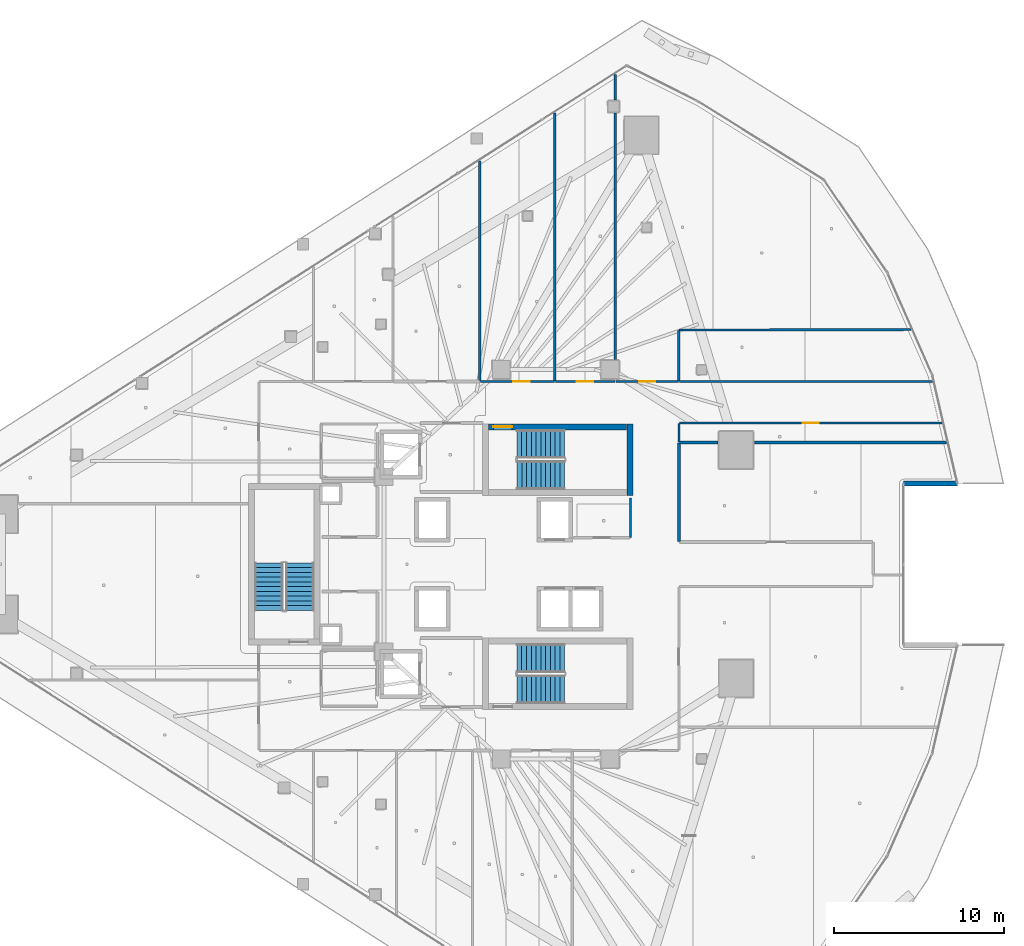
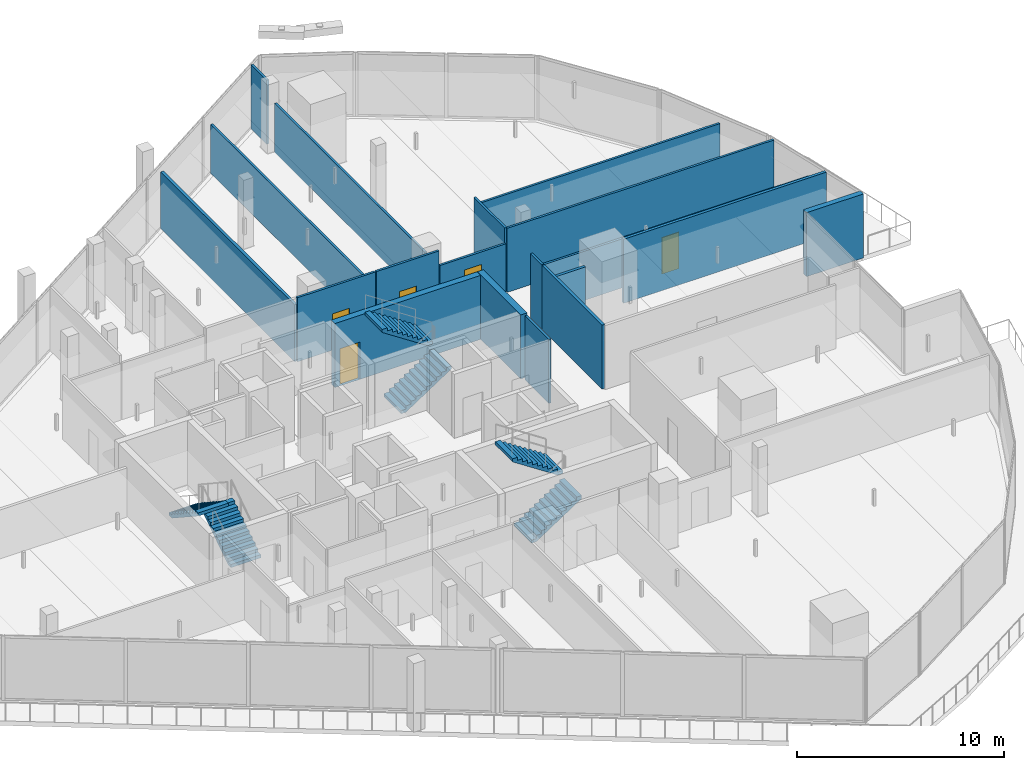
# One storey, part 28 of 39: 19 walls, 6 stair flights, 5 doors, 5 openings, 3 elements without a shape of their own.
"""IFC4 building model written with IfcOpenShell, lengths in metres."""

from ifc_helpers import new_model, si_unit, direction, frame, frame_2d, origin, place, context, subcontext, project, spatial, polyline, rectangle, outline, extrude, material, layer, layer_set, type_object, element, fill, aggregate, save


model = new_model("IFC4")

# Units and contexts
model_context = context("Model", 3, precision=1e-05, world=origin(), true_north=direction((0.0, 1.0)))
body_context = subcontext(model_context, "Body", "Model", "MODEL_VIEW")
ifc_project = project(units=[si_unit("LENGTHUNIT", "METRE"), si_unit("AREAUNIT", "SQUARE_METRE"), si_unit("VOLUMEUNIT", "CUBIC_METRE"), si_unit("PLANEANGLEUNIT", "RADIAN"), si_unit("MASSUNIT", "GRAM", prefix="KILO")], contexts=[model_context])

# Site, building, storey
site_placement = place(None, origin())
site = spatial("IfcSite", under=ifc_project, at=site_placement, CompositionType="ELEMENT")
building_placement = place(site_placement, origin())
building = spatial("IfcBuilding", under=site, at=building_placement, Name="Qorvath Tower", CompositionType="ELEMENT")
storey_placement = place(building_placement, frame((0.0, 0.0, 162.449951171875)))
storey = spatial("IfcBuildingStorey", under=building, at=storey_placement, Name="L37", CompositionType="ELEMENT", Elevation=162.449951171875)

# Walls
ifc_material_1 = material(Name="Double acoustic gypsum board on steel studs", Category="steel")
ifc_layer_1 = layer(ifc_material_1, 0.159912109375)
ifc_layer_set_1 = layer_set([ifc_layer_1], Name="IW-ACOUSTIC-160")
wall_type_1 = type_object("IfcWallType", Name="IW-ACOUSTIC-160", PredefinedType="PARTITIONING", material=ifc_layer_set_1)
wall_1_placement = place(storey_placement, frame((-24.85546875, 10.783203125, 0.0), z_axis=(0.0, 0.0, 1.0), x_axis=(0.0, 1.0, 0.0)))
element("IfcWall", 1, at=wall_1_placement, inside=storey, type_object=wall_type_1, Name="Interior Partition IW-T1-L37-026", PredefinedType="PARTITIONING", context=body_context, shape_type="SweptSolid", body=[
    extrude(rectangle(XDim=12.953369140625, YDim=0.159912109375, at=frame_2d((6.4765625, 0.0))), origin(), (0.0, 0.0, 1.0), 3.34423828125),
])
wall_2_placement = place(storey_placement, frame((2.607666015625, 7.161376953125, 0.0), z_axis=(0.0, 0.0, 1.0), x_axis=(-1.0, 0.0, 0.0)))
element("IfcWall", 2, at=wall_2_placement, inside=storey, type_object=wall_type_1, Name="Interior Partition IW-T1-L37-050", PredefinedType="PARTITIONING", context=body_context, shape_type="SweptSolid", body=[
    extrude(rectangle(XDim=11.31298828125, YDim=0.159912109375, at=frame_2d((5.656494140625, 0.0))), origin(), (0.0, 0.0, 1.0), 3.780029296875),
])
wall_3_placement = place(storey_placement, frame((-10.835205078125, 7.161376953125, 0.0), z_axis=(0.0, 0.0, 1.0), x_axis=(-1.0, 0.0, 0.0)))
element("IfcWall", 3, at=wall_3_placement, inside=storey, type_object=wall_type_1, Name="Interior Partition IW-T1-L37-051", PredefinedType="PARTITIONING", context=body_context, shape_type="SweptSolid", body=[
    extrude(rectangle(XDim=2.281982421875, YDim=0.159912109375, at=frame_2d((1.14111328125, 0.0))), origin(), (0.0, 0.0, 1.0), 2.89501953125),
])
wall_4_placement = place(storey_placement, frame((-13.14208984375, 7.136474609375, 0.0), z_axis=(0.0, 0.0, 1.0), x_axis=(0.0, -1.0, 0.0)))
element("IfcWall", 4, at=wall_4_placement, inside=storey, type_object=wall_type_1, Name="Interior Partition IW-T1-L37-052", PredefinedType="PARTITIONING", context=body_context, shape_type="SweptSolid", body=[
    extrude(rectangle(XDim=5.803466796875, YDim=0.159912109375, at=frame_2d((2.90185546875, 0.0))), origin(), (0.0, 0.0, 1.0), 3.780029296875),
])
ifc_material_2 = material(Name="Gypsum board on metal studs with mineral wool", Category="gypsum")
ifc_layer_2 = layer(ifc_material_2, 0.125)
ifc_layer_set_2 = layer_set([ifc_layer_2], Name="IW-PART-125")
wall_type_2 = type_object("IfcWallType", Name="IW-PART-125", PredefinedType="PARTITIONING", material=ifc_layer_set_2)
wall_5_placement = place(storey_placement, frame((-16.0, 1.585205078125, 0.0), z_axis=(0.0, 0.0, 1.0), x_axis=(0.0, 1.0, 0.0)))
element("IfcWall", 5, at=wall_5_placement, inside=storey, type_object=wall_type_2, Name="Interior Partition IW-T1-L37-014", PredefinedType="PARTITIONING", context=body_context, shape_type="SweptSolid", body=[
    extrude(rectangle(XDim=2.30224609375, YDim=0.125, at=frame_2d((1.151123046875, 0.0))), origin(), (0.0, 0.0, 1.0), 3.780029296875),
])

# Wall, opening, door
wall_6_placement = place(storey_placement, frame((-24.822509765625, 10.758056640625, 0.0), z_axis=(0.0, 0.0, 1.0), x_axis=(1.0, 0.0, 0.0)))
wall_6 = element("IfcWall", 6, at=wall_6_placement, inside=storey, type_object=wall_type_2, Name="Interior Partition IW-T1-L37-027", PredefinedType="PARTITIONING", context=body_context, shape_type="SweptSolid", body=[
    extrude(rectangle(XDim=4.3466796875, YDim=0.125, at=frame_2d((2.17333984375, 0.0))), origin(), (0.0, 0.0, 1.0), 3.780029296875),
])
opening_1_placement = place(wall_6_placement, frame((1.94091796875, 0.0, 0.0)))
opening_1 = element("IfcOpeningElement", 7, at=opening_1_placement, cuts=wall_6, Name="Opening D-T1-L37-08", PredefinedType="OPENING", context=body_context, shape_type="SweptSolid", body=[
    extrude(rectangle(XDim=0.949951171875, YDim=2.14990234375, at=frame_2d((0.47509765625, 1.074951171875))), frame((0.0, 0.072509765625, 0.0), z_axis=(0.0, -1.0, 0.0), x_axis=(1.0, 0.0, 0.0)), (0.0, 0.0, 1.0), 0.14501953125),
])
ifc_material_3 = material(Name="Solid-core American white oak veneer", Category="wood")
door_type_1 = type_object("IfcDoorType", Name="D-01", OperationType="NOTDEFINED", PredefinedType="DOOR", material=ifc_material_3)
door_1_placement = place(opening_1_placement, origin())
door_1 = element("IfcDoor", 8, at=door_1_placement, inside=storey, type_object=door_type_1, Name="L37-03 Project Collaboration Workspace Door D-T1-L37-08", OperationType="SINGLE_SWING_LEFT", OverallHeight=2.14990234375, OverallWidth=0.949951171875, PredefinedType="DOOR", context=body_context, shape_type="SweptSolid", body=[
    extrude(rectangle(XDim=0.949951171875, YDim=2.14990234375, at=frame_2d((0.47509765625, 1.074951171875))), frame((0.0, 0.02490234375, 0.0), z_axis=(0.0, -1.0, 0.0), x_axis=(1.0, 0.0, 0.0)), (0.0, 0.0, 1.0), 0.050048828125),
])
fill(opening_1, door_1)

# Wall
wall_7_placement = place(storey_placement, frame((-20.450927734375, 10.783203125, 0.0), z_axis=(0.0, 0.0, 1.0), x_axis=(0.0, 1.0, 0.0)))
element("IfcWall", 9, at=wall_7_placement, inside=storey, type_object=wall_type_2, Name="Interior Partition IW-T1-L37-028", PredefinedType="PARTITIONING", context=body_context, shape_type="SweptSolid", body=[
    extrude(rectangle(XDim=15.7685546875, YDim=0.125, at=frame_2d((7.88427734375, 0.0))), origin(), (0.0, 0.0, 1.0), 2.89501953125),
])

# Wall, opening, door
wall_8_placement = place(storey_placement, frame((-20.41796875, 10.758056640625, 0.0), z_axis=(0.0, 0.0, 1.0), x_axis=(1.0, 0.0, 0.0)))
wall_8 = element("IfcWall", 10, at=wall_8_placement, inside=storey, type_object=wall_type_2, Name="Interior Partition IW-T1-L37-029", PredefinedType="PARTITIONING", context=body_context, shape_type="SweptSolid", body=[
    extrude(rectangle(XDim=3.503662109375, YDim=0.125, at=frame_2d((1.751953125, 0.0))), origin(), (0.0, 0.0, 1.0), 3.780029296875),
])
opening_2_placement = place(wall_8_placement, frame((1.27685546875, 0.0, 0.0)))
opening_2 = element("IfcOpeningElement", 11, at=opening_2_placement, cuts=wall_8, Name="Opening D-T1-L37-09", PredefinedType="OPENING", context=body_context, shape_type="SweptSolid", body=[
    extrude(rectangle(XDim=0.949951171875, YDim=2.14990234375, at=frame_2d((0.47509765625, 1.074951171875))), frame((0.0, 0.072509765625, 0.0), z_axis=(0.0, -1.0, 0.0), x_axis=(1.0, 0.0, 0.0)), (0.0, 0.0, 1.0), 0.14501953125),
])
door_2_placement = place(opening_2_placement, origin())
door_2 = element("IfcDoor", 12, at=door_2_placement, inside=storey, type_object=door_type_1, Name="L37-04 Staff Wellness Studio Door D-T1-L37-09", OperationType="SINGLE_SWING_RIGHT", OverallHeight=2.14990234375, OverallWidth=0.949951171875, PredefinedType="DOOR", context=body_context, shape_type="SweptSolid", body=[
    extrude(rectangle(XDim=0.949951171875, YDim=2.14990234375, at=frame_2d((0.47509765625, 1.074951171875))), frame((0.0, 0.02490234375, 0.0), z_axis=(0.0, -1.0, 0.0), x_axis=(1.0, 0.0, 0.0)), (0.0, 0.0, 1.0), 0.050048828125),
])
fill(opening_2, door_2)

# Walls
wall_9_placement = place(storey_placement, frame((-16.88916015625, 12.0400390625, 0.0), z_axis=(0.0, 0.0, 1.0), x_axis=(0.0, 1.0, 0.0)))
element("IfcWall", 13, at=wall_9_placement, inside=storey, type_object=wall_type_2, Name="Interior Partition IW-T1-L37-030", PredefinedType="PARTITIONING", context=body_context, shape_type="SweptSolid", body=[
    extrude(rectangle(XDim=14.499267578125, YDim=0.125, at=frame_2d((7.24951171875, 0.0))), origin(), (0.0, 0.0, 1.0), 2.89501953125),
])
wall_10_placement = place(storey_placement, frame((-16.88916015625, 27.319091796875, 0.0), z_axis=(0.0, 0.0, 1.0), x_axis=(0.0, 1.0, 0.0)))
element("IfcWall", 14, at=wall_10_placement, inside=storey, type_object=wall_type_2, Name="Interior Partition IW-T1-L37-031", PredefinedType="PARTITIONING", context=body_context, shape_type="SweptSolid", body=[
    extrude(rectangle(XDim=1.509033203125, YDim=0.125, at=frame_2d((0.75439453125, 0.0))), origin(), (0.0, 0.0, 1.0), 3.780029296875),
])

# Wall, opening, door
wall_11_placement = place(storey_placement, frame((-16.856201171875, 10.758056640625, 0.0), z_axis=(0.0, 0.0, 1.0), x_axis=(1.0, 0.0, 0.0)))
wall_11 = element("IfcWall", 15, at=wall_11_placement, inside=storey, type_object=wall_type_2, Name="Interior Partition IW-T1-L37-032", PredefinedType="PARTITIONING", context=body_context, shape_type="SweptSolid", body=[
    extrude(rectangle(XDim=3.681396484375, YDim=0.125, at=frame_2d((1.8408203125, 0.0))), origin(), (0.0, 0.0, 1.0), 2.89501953125),
])
opening_3_placement = place(wall_11_placement, frame((1.36572265625, 0.0, 0.0)))
opening_3 = element("IfcOpeningElement", 16, at=opening_3_placement, cuts=wall_11, Name="Opening D-T1-L37-10", PredefinedType="OPENING", context=body_context, shape_type="SweptSolid", body=[
    extrude(rectangle(XDim=0.949951171875, YDim=2.14990234375, at=frame_2d((0.47509765625, 1.074951171875))), frame((0.0, 0.072509765625, 0.0), z_axis=(0.0, -1.0, 0.0), x_axis=(1.0, 0.0, 0.0)), (0.0, 0.0, 1.0), 0.14501953125),
])
door_3_placement = place(opening_3_placement, origin())
door_3 = element("IfcDoor", 17, at=door_3_placement, inside=storey, type_object=door_type_1, Name="L37-05 Design Pin-Up Atelier Door D-T1-L37-10", OperationType="SINGLE_SWING_LEFT", OverallHeight=2.14990234375, OverallWidth=0.949951171875, PredefinedType="DOOR", context=body_context, shape_type="SweptSolid", body=[
    extrude(rectangle(XDim=0.949951171875, YDim=2.14990234375, at=frame_2d((0.47509765625, 1.074951171875))), frame((0.0, 0.02490234375, 0.0), z_axis=(0.0, -1.0, 0.0), x_axis=(1.0, 0.0, 0.0)), (0.0, 0.0, 1.0), 0.050048828125),
])
fill(opening_3, door_3)

# Walls
wall_12_placement = place(storey_placement, frame((-13.14990234375, 13.764892578125, 0.0), z_axis=(0.0, 0.0, 1.0), x_axis=(0.0, -1.0, 0.0)))
element("IfcWall", 18, at=wall_12_placement, inside=storey, type_object=wall_type_2, Name="Interior Partition IW-T1-L37-033", PredefinedType="PARTITIONING", context=body_context, shape_type="SweptSolid", body=[
    extrude(rectangle(XDim=2.981689453125, YDim=0.125, at=frame_2d((1.49072265625, 0.0))), origin(), (0.0, 0.0, 1.0), 3.780029296875),
])
wall_13_placement = place(storey_placement, frame((-13.125, 13.7900390625, 0.0), z_axis=(0.0, 0.0, 1.0), x_axis=(0.999999567164, 0.000930415243, 0.0)))
element("IfcWall", 19, at=wall_13_placement, inside=storey, type_object=wall_type_2, Name="Interior Partition IW-T1-L37-034", PredefinedType="PARTITIONING", context=body_context, shape_type="SweptSolid", body=[
    extrude(rectangle(XDim=13.644775390625, YDim=0.125, at=frame_2d((6.822265625, 0.0))), origin(), (0.0, 0.0, 1.0), 3.34423828125),
])
wall_14_placement = place(storey_placement, frame((-13.1171875, 10.758056640625, 0.0), z_axis=(0.0, 0.0, 1.0), x_axis=(1.0, 0.0, 0.0)))
element("IfcWall", 20, at=wall_14_placement, inside=storey, type_object=wall_type_2, Name="Interior Partition IW-T1-L37-055", PredefinedType="PARTITIONING", context=body_context, shape_type="SweptSolid", body=[
    extrude(rectangle(XDim=14.8916015625, YDim=0.125, at=frame_2d((7.44580078125, 0.0))), origin(), (0.0, 0.0, 1.0), 3.780029296875),
])

# Wall, opening, door
wall_15_placement = place(storey_placement, frame((-13.1171875, 8.31201171875, 0.0), z_axis=(0.0, 0.0, 1.0), x_axis=(1.0, 0.0, 0.0)))
wall_15 = element("IfcWall", 21, at=wall_15_placement, inside=storey, type_object=wall_type_2, Name="Interior Partition IW-T1-L37-056", PredefinedType="PARTITIONING", context=body_context, shape_type="SweptSolid", body=[
    extrude(rectangle(XDim=15.458251953125, YDim=0.125, at=frame_2d((7.72900390625, 0.0))), origin(), (0.0, 0.0, 1.0), 2.89501953125),
])
opening_4_placement = place(wall_15_placement, frame((7.254150390625, 0.0, 0.0)))
opening_4 = element("IfcOpeningElement", 22, at=opening_4_placement, cuts=wall_15, Name="Opening D-T1-L37-17", PredefinedType="OPENING", context=body_context, shape_type="SweptSolid", body=[
    extrude(rectangle(XDim=0.949951171875, YDim=2.14990234375, at=frame_2d((0.47509765625, 1.074951171875))), frame((0.0, 0.072509765625, 0.0), z_axis=(0.0, -1.0, 0.0), x_axis=(1.0, 0.0, 0.0)), (0.0, 0.0, 1.0), 0.14501953125),
])
door_4_placement = place(opening_4_placement, origin())
door_4 = element("IfcDoor", 23, at=door_4_placement, inside=storey, type_object=door_type_1, Name="L37-12 Focus Collaboration Pod Door D-T1-L37-17", OperationType="SINGLE_SWING_RIGHT", OverallHeight=2.14990234375, OverallWidth=0.949951171875, PredefinedType="DOOR", context=body_context, shape_type="SweptSolid", body=[
    extrude(rectangle(XDim=0.949951171875, YDim=2.14990234375, at=frame_2d((0.47509765625, 1.074951171875))), frame((0.0, 0.02490234375, 0.0), z_axis=(0.0, -1.0, 0.0), x_axis=(1.0, 0.0, 0.0)), (0.0, 0.0, 1.0), 0.050048828125),
])
fill(opening_4, door_4)

# Walls
wall_16_placement = place(storey_placement, frame((-13.14208984375, 8.287109375, 0.0), z_axis=(0.0, 0.0, 1.0), x_axis=(0.0, -1.0, 0.0)))
element("IfcWall", 24, at=wall_16_placement, inside=storey, type_object=wall_type_2, Name="Interior Partition IW-T1-L37-057", PredefinedType="PARTITIONING", context=body_context, shape_type="SweptSolid", body=[
    extrude(rectangle(XDim=1.0927734375, YDim=0.125, at=frame_2d((0.54638671875, 0.0))), origin(), (0.0, 0.0, 1.0), 3.780029296875),
])
ifc_material_4 = material(Name="Concrete C60/75", Category="concrete")
ifc_layer_3 = layer(ifc_material_4, 0.35009765625)
ifc_layer_set_3 = layer_set([ifc_layer_3], Name="SW-STAIR")
wall_type_3 = type_object("IfcWallType", Name="SW-STAIR", PredefinedType="SHEAR", material=ifc_layer_set_3)
wall_17_placement = place(storey_placement, frame((-16.02490234375, 4.050048828125, 0.0), z_axis=(0.0, 0.0, 1.0), x_axis=(0.0, 1.0, 0.0)))
element("IfcWall", 25, at=wall_17_placement, inside=storey, type_object=wall_type_3, Name="Stair TS1 Shear Wall L37 FAR", PredefinedType="SHEAR", context=body_context, shape_type="SweptSolid", body=[
    extrude(rectangle(XDim=4.2099609375, YDim=0.35009765625, at=frame_2d((2.10498046875, 0.0))), origin(), (0.0, 0.0, 1.0), 3.780029296875),
])

# Wall, opening, door
wall_18_placement = place(storey_placement, frame((-16.215087890625, 8.0849609375, 0.0), z_axis=(0.0, 0.0, 1.0), x_axis=(-1.0, 0.0, 0.0)))
wall_18 = element("IfcWall", 26, at=wall_18_placement, inside=storey, type_object=wall_type_3, Name="Stair TS1 Shear Wall L37 RIGHT", PredefinedType="SHEAR", context=body_context, shape_type="SweptSolid", body=[
    extrude(rectangle(XDim=8.119873046875, YDim=0.35009765625, at=frame_2d((4.06005859375, 0.0))), origin(), (0.0, 0.0, 1.0), 3.780029296875),
])
opening_5_placement = place(wall_18_placement, frame((6.739990234375, 0.0, 0.0)))
opening_5 = element("IfcOpeningElement", 27, at=opening_5_placement, cuts=wall_18, Name="Opening D-TS1-L37", PredefinedType="OPENING", context=body_context, shape_type="SweptSolid", body=[
    extrude(rectangle(XDim=1.10009765625, YDim=2.199951171875, at=frame_2d((0.550048828125, 1.10009765625))), frame((0.0, 0.18505859375, 0.0), z_axis=(0.0, -1.0, 0.0), x_axis=(1.0, 0.0, 0.0)), (0.0, 0.0, 1.0), 0.3701171875),
])
ifc_material_5 = material(Name="Painted galvanised hollow metal", Category="steel")
door_type_2 = type_object("IfcDoorType", Name="FD-90", OperationType="NOTDEFINED", PredefinedType="DOOR", material=ifc_material_5)
door_5_placement = place(opening_5_placement, origin())
door_5 = element("IfcDoor", 28, at=door_5_placement, inside=storey, type_object=door_type_2, Name="Stair TS1 Fire Door L37", OperationType="SINGLE_SWING_RIGHT", OverallHeight=2.199951171875, OverallWidth=1.10009765625, PredefinedType="DOOR", context=body_context, shape_type="SweptSolid", body=[
    extrude(rectangle(XDim=1.10009765625, YDim=2.199951171875, at=frame_2d((0.550048828125, 1.10009765625))), frame((0.0, 0.02490234375, 0.0), z_axis=(0.0, -1.0, 0.0), x_axis=(1.0, 0.0, 0.0)), (0.0, 0.0, 1.0), 0.050048828125),
])
fill(opening_5, door_5)

# Wall
ifc_material_6 = material(Name="Precast concrete C45/55", Category="concrete")
ifc_layer_4 = layer(ifc_material_6, 0.300048828125)
ifc_layer_set_4 = layer_set([ifc_layer_4], Name="WL-EW-LOG-300")
wall_type_4 = type_object("IfcWallType", Name="WL-EW-LOG-300", PredefinedType="SOLIDWALL", material=ifc_layer_set_4)
wall_19_placement = place(storey_placement, frame((0.077880859375, 4.751953125, 0.0), z_axis=(0.0, 0.0, 1.0), x_axis=(1.0, 0.0, 0.0)))
element("IfcWall", 29, at=wall_19_placement, inside=storey, type_object=wall_type_4, Name="Tower Precast Loggia Wall L37-10.1", PredefinedType="SOLIDWALL", context=body_context, shape_type="SweptSolid", body=[
    extrude(rectangle(XDim=3.168212890625, YDim=0.300048828125, at=frame_2d((1.583984375, 0.0))), origin(), (0.0, 0.0, 1.0), 3.780029296875),
])

# Stair, stair flights
ifc_material_7 = material(Name="Concrete C50/60", Category="concrete")
stair_type = type_object("IfcStairType", Name="ST-H405", PredefinedType="HALF_TURN_STAIR", material=ifc_material_7)
stair_1_placement = place(storey_placement, origin())
stair_1 = element("IfcStair", 30, at=stair_1_placement, inside=storey, type_object=stair_type, Name="L37 Tower Exit Stair 1", PredefinedType="HALF_TURN_STAIR")
ifc_material_8 = material(Name="Concrete C50/60", Category="concrete")
ifc_layer_5 = layer(ifc_material_8, 0.14990234375)
ifc_layer_set_5 = layer_set([ifc_layer_5], Name="SF-H405")
stair_flight_type = type_object("IfcStairFlightType", Name="SF-H405", PredefinedType="STRAIGHT", material=ifc_layer_set_5)
stair_flight_1_placement = place(storey_placement, frame((-22.669921875, 5.239990234375, 0.0), z_axis=(0.0, 0.0, 1.0), x_axis=(1.0, 0.0, 0.0)))
stair_flight_1 = element("IfcStairFlight", 31, at=stair_flight_1_placement, type_object=stair_flight_type, Name="TS1 flight 1", NumberOfRisers=11, NumberOfTreads=10, PredefinedType="STRAIGHT", RiserHeight=0.184090909, TreadLength=0.28, context=body_context, shape_type="SweptSolid", body=[
    extrude(outline(polyline([(0.0, 0.0), (0.0, 0.18408203125), (0.280029296875, 0.18408203125), (0.280029296875, 0.3681640625), (0.56005859375, 0.3681640625), (0.56005859375, 0.55224609375), (0.840087890625, 0.55224609375), (0.840087890625, 0.736328125), (1.1201171875, 0.736328125), (1.1201171875, 0.92041015625), (1.39990234375, 0.92041015625), (1.39990234375, 1.1044921875), (1.679931640625, 1.1044921875), (1.679931640625, 1.28857421875), (1.9599609375, 1.28857421875), (1.9599609375, 1.47265625), (2.239990234375, 1.47265625), (2.239990234375, 1.65673828125), (2.52001953125, 1.65673828125), (2.52001953125, 1.8408203125), (2.800048828125, 1.8408203125), (2.800048828125, 2.02490234375), (2.800048828125, 1.66162109375), (0.27294921875, 0.0), (0.0, 0.0)])), frame((0.0, 0.83984375, 0.0), z_axis=(0.0, -1.0, 0.0), x_axis=(1.0, 0.0, 0.0)), (0.0, 0.0, 1.0), 1.679931640625),
])
stair_flight_2_placement = place(storey_placement, frame((-19.8701171875, 7.070068359375, 2.025146484375), z_axis=(0.0, 0.0, 1.0), x_axis=(-1.0, 0.0, 0.0)))
stair_flight_2 = element("IfcStairFlight", 32, at=stair_flight_2_placement, type_object=stair_flight_type, Name="TS1 flight 2", NumberOfRisers=11, NumberOfTreads=10, PredefinedType="STRAIGHT", RiserHeight=0.184090909, TreadLength=0.28, context=body_context, shape_type="SweptSolid", body=[
    extrude(outline(polyline([(0.0, 0.0), (0.0, 0.18408203125), (0.280029296875, 0.18408203125), (0.280029296875, 0.3681640625), (0.56005859375, 0.3681640625), (0.56005859375, 0.55224609375), (0.840087890625, 0.55224609375), (0.840087890625, 0.736328125), (1.1201171875, 0.736328125), (1.1201171875, 0.92041015625), (1.39990234375, 0.92041015625), (1.39990234375, 1.1044921875), (1.679931640625, 1.1044921875), (1.679931640625, 1.28857421875), (1.9599609375, 1.28857421875), (1.9599609375, 1.47265625), (2.239990234375, 1.47265625), (2.239990234375, 1.65673828125), (2.52001953125, 1.65673828125), (2.52001953125, 1.8408203125), (2.800048828125, 1.8408203125), (2.800048828125, 2.02490234375), (2.800048828125, 1.66162109375), (0.27294921875, 0.0), (0.0, 0.0)])), frame((0.0, 0.83984375, 0.0), z_axis=(0.0, -1.0, 0.0), x_axis=(1.0, 0.0, 0.0)), (0.0, 0.0, 1.0), 1.679931640625),
])
aggregate(stair_1, [stair_flight_1, stair_flight_2])

stair_2_placement = place(storey_placement, origin())
stair_2 = element("IfcStair", 33, at=stair_2_placement, inside=storey, type_object=stair_type, Name="L37 Tower Exit Stair 2", PredefinedType="HALF_TURN_STAIR")
stair_flight_3_placement = place(storey_placement, frame((-22.669921875, -7.360107421875, 0.0), z_axis=(0.0, 0.0, 1.0), x_axis=(1.0, 0.0, 0.0)))
stair_flight_3 = element("IfcStairFlight", 34, at=stair_flight_3_placement, type_object=stair_flight_type, Name="TS2 flight 1", NumberOfRisers=11, NumberOfTreads=10, PredefinedType="STRAIGHT", RiserHeight=0.184090909, TreadLength=0.28, context=body_context, shape_type="SweptSolid", body=[
    extrude(outline(polyline([(0.0, 0.0), (0.0, 0.18408203125), (0.280029296875, 0.18408203125), (0.280029296875, 0.3681640625), (0.56005859375, 0.3681640625), (0.56005859375, 0.55224609375), (0.840087890625, 0.55224609375), (0.840087890625, 0.736328125), (1.1201171875, 0.736328125), (1.1201171875, 0.92041015625), (1.39990234375, 0.92041015625), (1.39990234375, 1.1044921875), (1.679931640625, 1.1044921875), (1.679931640625, 1.28857421875), (1.9599609375, 1.28857421875), (1.9599609375, 1.47265625), (2.239990234375, 1.47265625), (2.239990234375, 1.65673828125), (2.52001953125, 1.65673828125), (2.52001953125, 1.8408203125), (2.800048828125, 1.8408203125), (2.800048828125, 2.02490234375), (2.800048828125, 1.66162109375), (0.27294921875, 0.0), (0.0, 0.0)])), frame((0.0, 0.83984375, 0.0), z_axis=(0.0, -1.0, 0.0), x_axis=(1.0, 0.0, 0.0)), (0.0, 0.0, 1.0), 1.679931640625),
])
stair_flight_4_placement = place(storey_placement, frame((-19.8701171875, -5.530029296875, 2.025146484375), z_axis=(0.0, 0.0, 1.0), x_axis=(-1.0, 0.0, 0.0)))
stair_flight_4 = element("IfcStairFlight", 35, at=stair_flight_4_placement, type_object=stair_flight_type, Name="TS2 flight 2", NumberOfRisers=11, NumberOfTreads=10, PredefinedType="STRAIGHT", RiserHeight=0.184090909, TreadLength=0.28, context=body_context, shape_type="SweptSolid", body=[
    extrude(outline(polyline([(0.0, 0.0), (0.0, 0.18408203125), (0.280029296875, 0.18408203125), (0.280029296875, 0.3681640625), (0.56005859375, 0.3681640625), (0.56005859375, 0.55224609375), (0.840087890625, 0.55224609375), (0.840087890625, 0.736328125), (1.1201171875, 0.736328125), (1.1201171875, 0.92041015625), (1.39990234375, 0.92041015625), (1.39990234375, 1.1044921875), (1.679931640625, 1.1044921875), (1.679931640625, 1.28857421875), (1.9599609375, 1.28857421875), (1.9599609375, 1.47265625), (2.239990234375, 1.47265625), (2.239990234375, 1.65673828125), (2.52001953125, 1.65673828125), (2.52001953125, 1.8408203125), (2.800048828125, 1.8408203125), (2.800048828125, 2.02490234375), (2.800048828125, 1.66162109375), (0.27294921875, 0.0), (0.0, 0.0)])), frame((0.0, 0.83984375, 0.0), z_axis=(0.0, -1.0, 0.0), x_axis=(1.0, 0.0, 0.0)), (0.0, 0.0, 1.0), 1.679931640625),
])
aggregate(stair_2, [stair_flight_3, stair_flight_4])

stair_3_placement = place(storey_placement, origin())
stair_3 = element("IfcStair", 36, at=stair_3_placement, inside=storey, type_object=stair_type, Name="L37 Tower Exit Stair 3", PredefinedType="HALF_TURN_STAIR")
stair_flight_5_placement = place(storey_placement, frame((-35.43994140625, -2.719970703125, 0.0), z_axis=(0.0, 0.0, 1.0), x_axis=(0.0, 1.0, 0.0)))
stair_flight_5 = element("IfcStairFlight", 37, at=stair_flight_5_placement, type_object=stair_flight_type, Name="TS3 flight 1", NumberOfRisers=11, NumberOfTreads=10, PredefinedType="STRAIGHT", RiserHeight=0.184090909, TreadLength=0.28, context=body_context, shape_type="SweptSolid", body=[
    extrude(outline(polyline([(0.0, 0.0), (0.0, 0.18408203125), (0.280029296875, 0.18408203125), (0.280029296875, 0.3681640625), (0.56005859375, 0.3681640625), (0.56005859375, 0.55224609375), (0.840087890625, 0.55224609375), (0.840087890625, 0.736328125), (1.1201171875, 0.736328125), (1.1201171875, 0.92041015625), (1.39990234375, 0.92041015625), (1.39990234375, 1.1044921875), (1.679931640625, 1.1044921875), (1.679931640625, 1.28857421875), (1.9599609375, 1.28857421875), (1.9599609375, 1.47265625), (2.239990234375, 1.47265625), (2.239990234375, 1.65673828125), (2.52001953125, 1.65673828125), (2.52001953125, 1.8408203125), (2.800048828125, 1.8408203125), (2.800048828125, 2.02490234375), (2.800048828125, 1.66162109375), (0.27294921875, 0.0), (0.0, 0.0)])), frame((0.0, 0.83984375, 0.0), z_axis=(0.0, -1.0, 0.0), x_axis=(1.0, 0.0, 0.0)), (0.0, 0.0, 1.0), 1.679931640625),
])
stair_flight_6_placement = place(storey_placement, frame((-37.27001953125, 0.080078125, 2.025146484375), z_axis=(0.0, 0.0, 1.0), x_axis=(0.0, -1.0, 0.0)))
stair_flight_6 = element("IfcStairFlight", 38, at=stair_flight_6_placement, type_object=stair_flight_type, Name="TS3 flight 2", NumberOfRisers=11, NumberOfTreads=10, PredefinedType="STRAIGHT", RiserHeight=0.184090909, TreadLength=0.28, context=body_context, shape_type="SweptSolid", body=[
    extrude(outline(polyline([(0.0, 0.0), (0.0, 0.18408203125), (0.280029296875, 0.18408203125), (0.280029296875, 0.3681640625), (0.56005859375, 0.3681640625), (0.56005859375, 0.55224609375), (0.840087890625, 0.55224609375), (0.840087890625, 0.736328125), (1.1201171875, 0.736328125), (1.1201171875, 0.92041015625), (1.39990234375, 0.92041015625), (1.39990234375, 1.1044921875), (1.679931640625, 1.1044921875), (1.679931640625, 1.28857421875), (1.9599609375, 1.28857421875), (1.9599609375, 1.47265625), (2.239990234375, 1.47265625), (2.239990234375, 1.65673828125), (2.52001953125, 1.65673828125), (2.52001953125, 1.8408203125), (2.800048828125, 1.8408203125), (2.800048828125, 2.02490234375), (2.800048828125, 1.66162109375), (0.27294921875, 0.0), (0.0, 0.0)])), frame((0.0, 0.83984375, 0.0), z_axis=(0.0, -1.0, 0.0), x_axis=(1.0, 0.0, 0.0)), (0.0, 0.0, 1.0), 1.679931640625),
])
aggregate(stair_3, [stair_flight_5, stair_flight_6])

save(model, "model.ifc")
